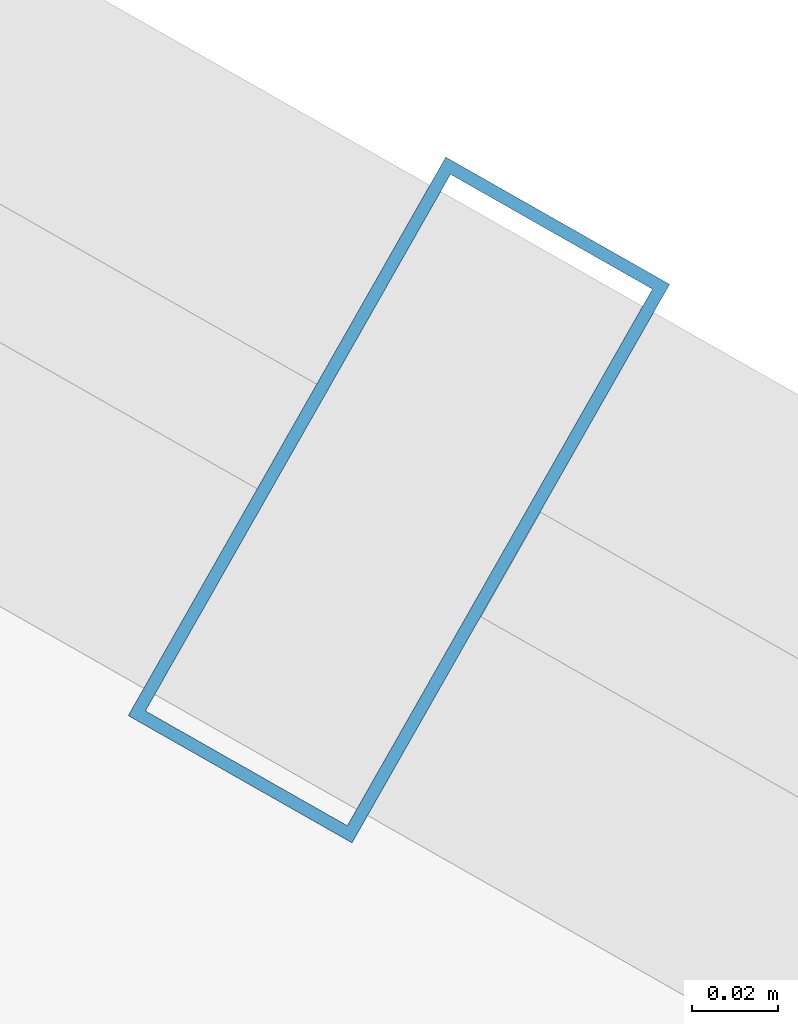
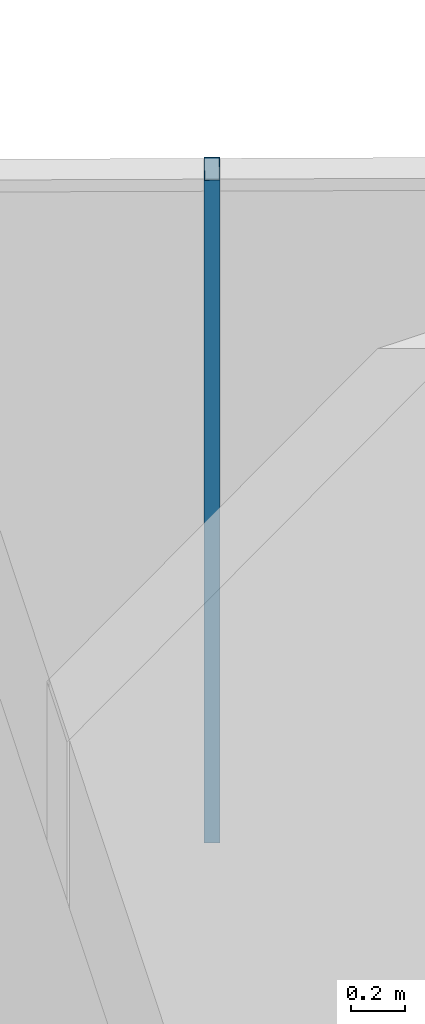
# One storey, part 23 of 31: 1 member, 1 element without a shape of its own.
"""IFC4 building model written with IfcOpenShell, lengths in metres."""

from ifc_helpers import new_model, si_unit, direction, frame, origin, origin_2d, place, context, subcontext, project, spatial, hollow_rectangle, extrude, source, transform, mapped, material, layer, layer_set, material_profile, profile_set, type_object, element, aggregate, save


model = new_model("IFC4")

# Units and contexts
model_context = context("Model", 3, precision=1e-05, world=origin(), true_north=direction((0.0, 1.0)))
body_context = subcontext(model_context, "Body", "Model", "MODEL_VIEW")
ifc_project = project(units=[si_unit("LENGTHUNIT", "METRE"), si_unit("AREAUNIT", "SQUARE_METRE"), si_unit("VOLUMEUNIT", "CUBIC_METRE"), si_unit("PLANEANGLEUNIT", "RADIAN"), si_unit("MASSUNIT", "GRAM", prefix="KILO")], contexts=[model_context])

# Site, building, storey
site_placement = place(None, origin())
site = spatial("IfcSite", under=ifc_project, at=site_placement, CompositionType="ELEMENT")
building_placement = place(site_placement, origin())
building = spatial("IfcBuilding", under=site, at=building_placement, Name="Veraguas Prism Commons", CompositionType="ELEMENT")
storey_placement = place(building_placement, frame((0.0, 0.0, 204.85009765625)))
storey = spatial("IfcBuildingStorey", under=building, at=storey_placement, Name="L58", CompositionType="ELEMENT", Elevation=204.85009765625)

# Curtain wall, member
ifc_material = material(Name="Anodised aluminium EN AW-6063 T6", Category="aluminium")
ifc_layer = layer(ifc_material, 0.14990234375, Name="Unitised Flush Curtain Wall Zone 3", Category="aluminium")
ifc_layer_set = layer_set([ifc_layer], Name="Anodised aluminium EN AW-6063 T6")
curtain_wall_type = type_object("IfcCurtainWallType", Name="Unitised Flush Curtain Wall Zone 3", PredefinedType="NOTDEFINED", material=ifc_layer_set)
curtain_wall_placement = place(storey_placement, origin())
curtain_wall = element("IfcCurtainWall", 1, at=curtain_wall_placement, inside=storey, type_object=curtain_wall_type, Name="Tower Facade Curtain Wall L58-F1", PredefinedType="NOTDEFINED")
ifc_material_profile = material_profile(ifc_material, hollow_rectangle(XDim=0.06005859375, YDim=0.14990234375, WallThickness=0.0029296875, at=origin_2d()), Name="AL60X150X3")
ifc_profile_set = profile_set([ifc_material_profile], Name="Anodised aluminium EN AW-6063 T6")
member_type = type_object("IfcMemberType", Name="Curtain Wall Mullion Upper AL 60x150x3", PredefinedType="MULLION", material=ifc_profile_set)
shared_shape = source(origin(), body_context, "Body", "SweptSolid", [
    extrude(hollow_rectangle(XDim=0.06005859375, YDim=0.14990234375, WallThickness=0.0029296875, at=origin_2d()), origin(), (0.0, 0.0, 1.0), 3.014892578125),
])
member_placement = place(storey_placement, frame((32.753173828125, 39.39599609375, 0.0), z_axis=(0.0, 0.0, 1.0), x_axis=(-0.869323320918, 0.494243830218, 0.0)))
member = element("IfcMember", 2, at=member_placement, type_object=member_type, Name="CW-Z3 Mullion 3", PredefinedType="MULLION", context=body_context, shape_type="MappedRepresentation", body=[
    mapped(shared_shape, transform((0.0, 0.0, 0.0), scale=1.0)),
])
aggregate(curtain_wall, [member])

save(model, "model.ifc")
